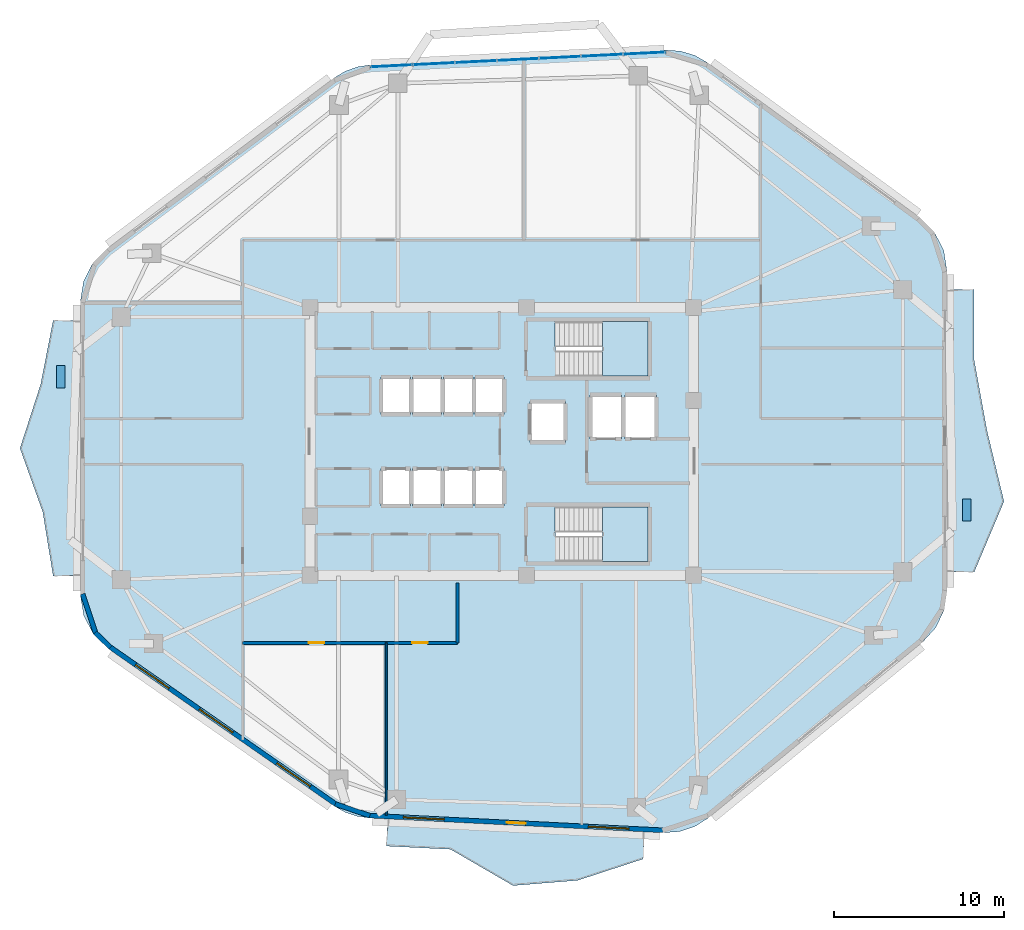
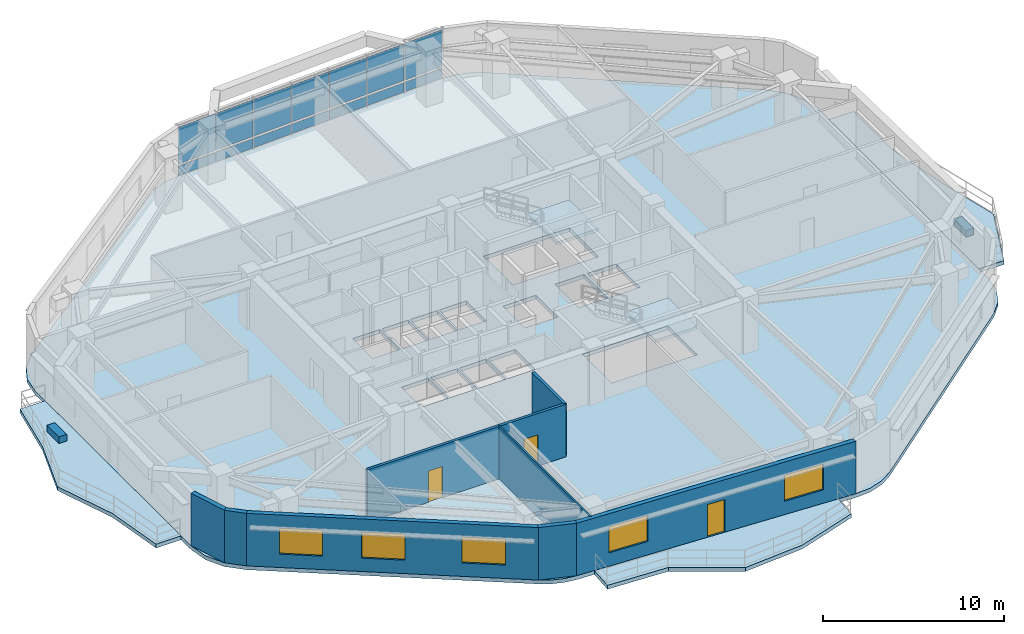
# One storey, part 7 of 14: 16 plates, 8 walls, 6 slabs, 5 windows, 3 doors, 8 openings, 3 elements without a shape of their own.
"""IFC4 building model written with IfcOpenShell, lengths in metres."""

import ifcopenshell
import ifcopenshell.guid

model = None  # the IFC model being written
_history = None  # IfcOwnerHistory: only IFC2X3 demands one
_inside = {}  # id of a spatial element -> (the spatial element, [elements in it])
_under = {}  # id of a project, library or spatial element -> (it, [spatial elements below it])
_declared = {}  # id of a project -> (the project, [libraries it declares])
_typed = {}  # id of a type object -> (the type object, [elements of that type])
_made_of = {}  # id of a material, layer set ... -> (it, [elements and type objects made of it])


def new_model(schema):
    """Start an empty IFC model of exactly this schema.

    Asked for "IFC4X3", IfcOpenShell would pick the latest addendum, in which some entities
    have other attributes; the version numbers below select the first issue.
    IFC2X3 requires an IfcOwnerHistory on every rooted entity: one is made here for all.
    """
    global model, _history
    if schema == "IFC4X3":
        model = ifcopenshell.file(schema_version=(4, 3, 0, 0))
    else:
        model = ifcopenshell.file(schema=schema)
    _inside.clear()
    _under.clear()
    _declared.clear()
    _typed.clear()
    _made_of.clear()
    _history = None
    if model.schema == "IFC2X3":
        org = make("IfcOrganization", Name="unknown")
        user = make(
            "IfcPersonAndOrganization",
            ThePerson=make("IfcPerson", FamilyName="unknown"),
            TheOrganization=org,
        )
        app = make(
            "IfcApplication",
            ApplicationDeveloper=org,
            Version="unknown",
            ApplicationFullName="unknown",
            ApplicationIdentifier="unknown",
        )
        _history = make(
            "IfcOwnerHistory",
            OwningUser=user,
            OwningApplication=app,
            ChangeAction="ADDED",
            CreationDate=0,
        )
    return model


def make(cls, **values):
    """One entity of the class cls with the attributes given. An attribute that is None is left unset."""
    return model.create_entity(
        cls, **{name: value for name, value in values.items() if value is not None}
    )


def rooted(cls, **values):
    """An entity with a GlobalId (a new one), such as an element, a storey or a relation."""
    return make(cls, GlobalId=ifcopenshell.guid.new(), OwnerHistory=_history, **values)


def si_unit(unit_type, name, prefix=None):
    """IfcSIUnit, for example si_unit("LENGTHUNIT", "METRE", prefix="MILLI")."""
    return make("IfcSIUnit", UnitType=unit_type, Prefix=prefix, Name=name)


def assignment(units):
    """IfcUnitAssignment: the units of a project."""
    return None if units is None else make("IfcUnitAssignment", Units=units)


def point(xyz):
    """IfcCartesianPoint."""
    return None if xyz is None else make("IfcCartesianPoint", Coordinates=xyz)


def direction(xyz):
    """IfcDirection."""
    return None if xyz is None else make("IfcDirection", DirectionRatios=xyz)


def frame(location, z_axis=None, x_axis=None):
    """IfcAxis2Placement3D, a coordinate frame: its origin and axes. An axis left out is left unset."""
    return make(
        "IfcAxis2Placement3D",
        Location=point(location),
        Axis=direction(z_axis),
        RefDirection=direction(x_axis),
    )


def frame_2d(location, x_axis=None):
    """IfcAxis2Placement2D, a coordinate frame in the plane: its origin and x axis."""
    return make(
        "IfcAxis2Placement2D", Location=point(location), RefDirection=direction(x_axis)
    )


def origin():
    """The frame at (0, 0, 0) with its axes left unset."""
    return frame((0.0, 0.0, 0.0))


def origin_2d():
    """The frame at (0, 0) in the plane with its x axis left unset."""
    return frame_2d((0.0, 0.0))


def place(relative_to, where):
    """IfcLocalPlacement: puts the frame where relative to a parent placement (None: the world)."""
    return make(
        "IfcLocalPlacement", PlacementRelTo=relative_to, RelativePlacement=where
    )


def context(
    kind, dimensions, precision=None, world=None, true_north=None, identifier=None
):
    """IfcGeometricRepresentationContext, for example the 3D "Model" context."""
    return make(
        "IfcGeometricRepresentationContext",
        ContextIdentifier=identifier,
        ContextType=kind,
        CoordinateSpaceDimension=dimensions,
        Precision=precision,
        WorldCoordinateSystem=world,
        TrueNorth=true_north,
    )


def subcontext(parent, identifier, kind, view, scale=None):
    """IfcGeometricRepresentationSubContext, for example "Body" below "Model"."""
    return make(
        "IfcGeometricRepresentationSubContext",
        ContextIdentifier=identifier,
        ContextType=kind,
        ParentContext=parent,
        TargetScale=scale,
        TargetView=view,
    )


def project(units=None, contexts=None):
    """IfcProject with its units and contexts."""
    return rooted(
        "IfcProject",
        Name="project",
        RepresentationContexts=contexts,
        UnitsInContext=assignment(units),
    )


def spatial(cls, under=None, at=None, **own):
    """A site, building, storey or space (cls), placed at a placement, below another one or the project."""
    s = rooted(cls, ObjectPlacement=at, **own)
    if under is not None:
        _under.setdefault(under.id(), (under, []))[1].append(s)
    return s


def polyline(points):
    """IfcPolyline through the points."""
    return make("IfcPolyline", Points=[point(p) for p in points])


def profile(cls, at=None, kind="AREA", **sizes):
    """A parametric profile (cls). Its sizes go by their IFC names, for example OverallWidth=200.0."""
    return make(cls, ProfileType=kind, Position=at, **sizes)


def rectangle(**sizes):
    """IfcRectangleProfileDef."""
    return profile("IfcRectangleProfileDef", **sizes)


def outline(outer, holes=None, kind="AREA"):
    """IfcArbitraryClosedProfileDef: a profile drawn as a closed curve; with holes, ...WithVoids."""
    if holes is None:
        return make("IfcArbitraryClosedProfileDef", ProfileType=kind, OuterCurve=outer)
    return make(
        "IfcArbitraryProfileDefWithVoids",
        ProfileType=kind,
        OuterCurve=outer,
        InnerCurves=holes,
    )


def extrude(swept, where, along, depth):
    """IfcExtrudedAreaSolid: the profile swept, set in the frame where, extruded along a direction by depth."""
    return make(
        "IfcExtrudedAreaSolid",
        SweptArea=swept,
        Position=where,
        ExtrudedDirection=direction(along),
        Depth=depth,
    )


def shape(context_of_items, identifier, shape_type, items):
    """IfcShapeRepresentation: the items that make up one representation, for example the "Body"."""
    return make(
        "IfcShapeRepresentation",
        ContextOfItems=context_of_items,
        RepresentationIdentifier=identifier,
        RepresentationType=shape_type,
        Items=items,
    )


def material(Name=None, Category=None):
    """IfcMaterial."""
    return make("IfcMaterial", Name=Name, Category=Category)


def layer(
    of_material, thickness, ventilated=None, Name=None, Category=None, Priority=None
):
    """IfcMaterialLayer: one layer of a wall or slab, of a material (None: an air gap)."""
    return make(
        "IfcMaterialLayer",
        Material=of_material,
        LayerThickness=thickness,
        IsVentilated=ventilated,
        Name=Name,
        Category=Category,
        Priority=Priority,
    )


def layer_set(layers, Name=None):
    """IfcMaterialLayerSet."""
    return make("IfcMaterialLayerSet", MaterialLayers=layers, LayerSetName=Name)


def made_of(thing, what):
    """Note that an element or type object is made of a material, layer set ...; save() writes the relation."""
    if what is not None:
        _made_of.setdefault(what.id(), (what, []))[1].append(thing)
    return thing


def type_object(cls, material=None, **own):
    """A type object (cls), such as IfcWallType, which elements share."""
    return made_of(rooted(cls, **own), material)


def element(
    cls,
    number,
    at=None,
    inside=None,
    cuts=None,
    type_object=None,
    material=None,
    context=None,
    identifier="Body",
    shape_type=None,
    held_by="IfcProductDefinitionShape",
    body=None,
    shapes=None,
    **own,
):
    """One element of the class cls, such as IfcWall. Its Tag is "e" and its number.

    at: its placement. inside: the storey or other place that contains it. cuts: it is an
    opening in that element (IfcRelVoidsElement). A single representation is given by context,
    identifier, shape_type and body (its items); several are given by shapes. held_by: the class
    of the entity that holds the representations. save() writes the other relations.
    """
    e = rooted(cls, Tag="e%d" % number, ObjectPlacement=at, **own)
    if body is not None:
        shapes = [shape(context, identifier, shape_type, body)]
    if shapes is not None:
        e.Representation = make(held_by, Representations=shapes)
    if inside is not None:
        _inside.setdefault(inside.id(), (inside, []))[1].append(e)
    if cuts is not None:
        rooted(
            "IfcRelVoidsElement", RelatingBuildingElement=cuts, RelatedOpeningElement=e
        )
    if type_object is not None:
        _typed.setdefault(type_object.id(), (type_object, []))[1].append(e)
    return made_of(e, material)


def fill(opening, filler):
    """IfcRelFillsElement: the door or window that sits in an opening."""
    return rooted(
        "IfcRelFillsElement",
        RelatingOpeningElement=opening,
        RelatedBuildingElement=filler,
    )


def aggregate(whole, parts):
    """IfcRelAggregates: a whole, such as a stair, and the parts it consists of."""
    return rooted("IfcRelAggregates", RelatingObject=whole, RelatedObjects=parts)


def save(model, path):
    """Write the relations noted so far, then the file.

    IfcRelAggregates (storeys below a building ...), IfcRelContainedInSpatialStructure (elements
    in a storey), IfcRelDefinesByType, IfcRelAssociatesMaterial and IfcRelDeclares: one each for
    every whole, place, type object, material and project.
    """
    for whole, parts in _under.values():
        aggregate(whole, parts)
    for where, things in _inside.values():
        rooted(
            "IfcRelContainedInSpatialStructure",
            RelatedElements=things,
            RelatingStructure=where,
        )
    for kind, things in _typed.values():
        rooted("IfcRelDefinesByType", RelatedObjects=things, RelatingType=kind)
    for what, things in _made_of.values():
        rooted("IfcRelAssociatesMaterial", RelatedObjects=things, RelatingMaterial=what)
    for by, libraries in _declared.values():
        rooted("IfcRelDeclares", RelatingContext=by, RelatedDefinitions=libraries)
    model.write(path)


model = new_model("IFC4")

# Units and contexts
model_context = context("Model", 3, precision=1e-05, world=origin(), true_north=direction((0.0, 1.0)))
body_context = subcontext(model_context, "Body", "Model", "MODEL_VIEW")
ifc_project = project(units=[si_unit("LENGTHUNIT", "METRE"), si_unit("AREAUNIT", "SQUARE_METRE"), si_unit("VOLUMEUNIT", "CUBIC_METRE"), si_unit("PLANEANGLEUNIT", "RADIAN"), si_unit("MASSUNIT", "GRAM", prefix="KILO")], contexts=[model_context])

# Site, building, storey
site_placement = place(None, origin())
site = spatial("IfcSite", under=ifc_project, at=site_placement, CompositionType="ELEMENT")
building_placement = place(site_placement, origin())
building = spatial("IfcBuilding", under=site, at=building_placement, Name="Zulverin Broadcast Headquarters", CompositionType="ELEMENT")
storey_placement = place(building_placement, frame((0.0, 0.0, 147.800048828125)))
storey = spatial("IfcBuildingStorey", under=building, at=storey_placement, Name="L37", CompositionType="ELEMENT", Elevation=147.800048828125)

# Curtain wall, plates
ifc_material_1 = material(Name="Waist wind-pressure unitised curtain wall", Category="aluminium")
curtain_wall_type = type_object("IfcCurtainWallType", Name="CW-TWR-WST", PredefinedType="USERDEFINED", material=ifc_material_1)
curtain_wall_placement = place(storey_placement, origin())
curtain_wall = element("IfcCurtainWall", 1, at=curtain_wall_placement, inside=storey, type_object=curtain_wall_type, Name="L37 Unitised Curtain Wall CW-L37-E5", ObjectType="UNITISED CURTAIN WALL", PredefinedType="USERDEFINED")
ifc_material_2 = material(Name="Low-E double-glazed pale-silver vision glass", Category="glass")
ifc_layer_1 = layer(ifc_material_2, 0.035888671875, Name="Low-E double-glazed pale-silver vision glass", Category="glass")
ifc_layer_set_1 = layer_set([ifc_layer_1], Name="Low-E double-glazed pale-silver vision glass")
plate_type_1 = type_object("IfcPlateType", Name="CW-PNL-GLZ", PredefinedType="CURTAIN_PANEL", material=ifc_layer_set_1)
plate_1_placement = place(storey_placement, frame((45.39111328125, 48.048583984375, 0.91455078125), z_axis=(0.0, 0.0, 1.0), x_axis=(-0.998743962301, -0.050104867704, 0.0)))
plate_1 = element("IfcPlate", 2, at=plate_1_placement, type_object=plate_type_1, Name="CW-L37-E5 Vision Panel 00", PredefinedType="CURTAIN_PANEL", context=body_context, shape_type="SweptSolid", body=[
    extrude(rectangle(XDim=2.443115234375, YDim=0.035888671875, at=origin_2d()), origin(), (0.0, 0.0, 1.0), 2.4853515625),
])
plate_2_placement = place(storey_placement, frame((42.9111328125, 47.92431640625, 0.91455078125), z_axis=(0.0, 0.0, 1.0), x_axis=(-0.998743962301, -0.050104867704, 0.0)))
plate_2 = element("IfcPlate", 3, at=plate_2_placement, type_object=plate_type_1, Name="CW-L37-E5 Vision Panel 01", PredefinedType="CURTAIN_PANEL", context=body_context, shape_type="SweptSolid", body=[
    extrude(rectangle(XDim=2.443115234375, YDim=0.035888671875, at=origin_2d()), origin(), (0.0, 0.0, 1.0), 2.4853515625),
])
plate_3_placement = place(storey_placement, frame((40.43115234375, 47.7998046875, 0.91455078125), z_axis=(0.0, 0.0, 1.0), x_axis=(-0.998743962301, -0.050104867704, 0.0)))
plate_3 = element("IfcPlate", 4, at=plate_3_placement, type_object=plate_type_1, Name="CW-L37-E5 Vision Panel 02", PredefinedType="CURTAIN_PANEL", context=body_context, shape_type="SweptSolid", body=[
    extrude(rectangle(XDim=2.443115234375, YDim=0.035888671875, at=origin_2d()), origin(), (0.0, 0.0, 1.0), 2.4853515625),
])
plate_4_placement = place(storey_placement, frame((37.951171875, 47.675537109375, 0.91455078125), z_axis=(0.0, 0.0, 1.0), x_axis=(-0.998743962301, -0.050104867704, 0.0)))
plate_4 = element("IfcPlate", 5, at=plate_4_placement, type_object=plate_type_1, Name="CW-L37-E5 Vision Panel 03", PredefinedType="CURTAIN_PANEL", context=body_context, shape_type="SweptSolid", body=[
    extrude(rectangle(XDim=2.443115234375, YDim=0.035888671875, at=origin_2d()), origin(), (0.0, 0.0, 1.0), 2.4853515625),
])
plate_5_placement = place(storey_placement, frame((35.47119140625, 47.551025390625, 0.91455078125), z_axis=(0.0, 0.0, 1.0), x_axis=(-0.998743962301, -0.050104867704, 0.0)))
plate_5 = element("IfcPlate", 6, at=plate_5_placement, type_object=plate_type_1, Name="CW-L37-E5 Vision Panel 04", PredefinedType="CURTAIN_PANEL", context=body_context, shape_type="SweptSolid", body=[
    extrude(rectangle(XDim=2.443115234375, YDim=0.035888671875, at=origin_2d()), origin(), (0.0, 0.0, 1.0), 2.4853515625),
])
plate_6_placement = place(storey_placement, frame((32.9912109375, 47.4267578125, 0.91455078125), z_axis=(0.0, 0.0, 1.0), x_axis=(-0.998743962301, -0.050104867704, 0.0)))
plate_6 = element("IfcPlate", 7, at=plate_6_placement, type_object=plate_type_1, Name="CW-L37-E5 Vision Panel 05", PredefinedType="CURTAIN_PANEL", context=body_context, shape_type="SweptSolid", body=[
    extrude(rectangle(XDim=2.443115234375, YDim=0.035888671875, at=origin_2d()), origin(), (0.0, 0.0, 1.0), 2.4853515625),
])
plate_7_placement = place(storey_placement, frame((30.51123046875, 47.30224609375, 0.91455078125), z_axis=(0.0, 0.0, 1.0), x_axis=(-0.998743962301, -0.050104867704, 0.0)))
plate_7 = element("IfcPlate", 8, at=plate_7_placement, type_object=plate_type_1, Name="CW-L37-E5 Vision Panel 06", PredefinedType="CURTAIN_PANEL", context=body_context, shape_type="SweptSolid", body=[
    extrude(rectangle(XDim=2.443115234375, YDim=0.035888671875, at=origin_2d()), origin(), (0.0, 0.0, 1.0), 2.4853515625),
])
ifc_material_3 = material(Name="Insulated brushed pale-aluminium spandrel cassette", Category="aluminium")
ifc_layer_2 = layer(ifc_material_3, 0.050048828125, Name="Insulated brushed pale-aluminium spandrel cassette", Category="aluminium")
ifc_layer_set_2 = layer_set([ifc_layer_2], Name="Insulated brushed pale-aluminium spandrel cassette")
plate_type_2 = type_object("IfcPlateType", Name="CW-PNL-SPN", PredefinedType="CURTAIN_PANEL", material=ifc_layer_set_2)
plate_8_placement = place(storey_placement, frame((45.39111328125, 48.048583984375, 0.139892578125), z_axis=(0.0, 0.0, 1.0), x_axis=(-0.998743962301, -0.050104867704, 0.0)))
plate_8 = element("IfcPlate", 9, at=plate_8_placement, type_object=plate_type_2, Name="CW-L37-E5 Spandrel Cassette 00", PredefinedType="CURTAIN_PANEL", context=body_context, shape_type="SweptSolid", body=[
    extrude(rectangle(XDim=2.443115234375, YDim=0.050048828125, at=origin_2d()), origin(), (0.0, 0.0, 1.0), 0.64453125),
])
plate_9_placement = place(storey_placement, frame((42.9111328125, 47.92431640625, 0.139892578125), z_axis=(0.0, 0.0, 1.0), x_axis=(-0.998743962301, -0.050104867704, 0.0)))
plate_9 = element("IfcPlate", 10, at=plate_9_placement, type_object=plate_type_2, Name="CW-L37-E5 Spandrel Cassette 01", PredefinedType="CURTAIN_PANEL", context=body_context, shape_type="SweptSolid", body=[
    extrude(rectangle(XDim=2.443115234375, YDim=0.050048828125, at=origin_2d()), origin(), (0.0, 0.0, 1.0), 0.64453125),
])
plate_10_placement = place(storey_placement, frame((40.43115234375, 47.7998046875, 0.139892578125), z_axis=(0.0, 0.0, 1.0), x_axis=(-0.998743962301, -0.050104867704, 0.0)))
plate_10 = element("IfcPlate", 11, at=plate_10_placement, type_object=plate_type_2, Name="CW-L37-E5 Spandrel Cassette 02", PredefinedType="CURTAIN_PANEL", context=body_context, shape_type="SweptSolid", body=[
    extrude(rectangle(XDim=2.443115234375, YDim=0.050048828125, at=origin_2d()), origin(), (0.0, 0.0, 1.0), 0.64453125),
])
plate_11_placement = place(storey_placement, frame((37.951171875, 47.675537109375, 0.139892578125), z_axis=(0.0, 0.0, 1.0), x_axis=(-0.998743962301, -0.050104867704, 0.0)))
plate_11 = element("IfcPlate", 12, at=plate_11_placement, type_object=plate_type_2, Name="CW-L37-E5 Spandrel Cassette 03", PredefinedType="CURTAIN_PANEL", context=body_context, shape_type="SweptSolid", body=[
    extrude(rectangle(XDim=2.443115234375, YDim=0.050048828125, at=origin_2d()), origin(), (0.0, 0.0, 1.0), 0.64453125),
])
plate_12_placement = place(storey_placement, frame((35.47119140625, 47.551025390625, 0.139892578125), z_axis=(0.0, 0.0, 1.0), x_axis=(-0.998743962301, -0.050104867704, 0.0)))
plate_12 = element("IfcPlate", 13, at=plate_12_placement, type_object=plate_type_2, Name="CW-L37-E5 Spandrel Cassette 04", PredefinedType="CURTAIN_PANEL", context=body_context, shape_type="SweptSolid", body=[
    extrude(rectangle(XDim=2.443115234375, YDim=0.050048828125, at=origin_2d()), origin(), (0.0, 0.0, 1.0), 0.64453125),
])
plate_13_placement = place(storey_placement, frame((32.9912109375, 47.4267578125, 0.139892578125), z_axis=(0.0, 0.0, 1.0), x_axis=(-0.998743962301, -0.050104867704, 0.0)))
plate_13 = element("IfcPlate", 14, at=plate_13_placement, type_object=plate_type_2, Name="CW-L37-E5 Spandrel Cassette 05", PredefinedType="CURTAIN_PANEL", context=body_context, shape_type="SweptSolid", body=[
    extrude(rectangle(XDim=2.443115234375, YDim=0.050048828125, at=origin_2d()), origin(), (0.0, 0.0, 1.0), 0.64453125),
])
plate_14_placement = place(storey_placement, frame((30.51123046875, 47.30224609375, 0.139892578125), z_axis=(0.0, 0.0, 1.0), x_axis=(-0.998743962301, -0.050104867704, 0.0)))
plate_14 = element("IfcPlate", 15, at=plate_14_placement, type_object=plate_type_2, Name="CW-L37-E5 Spandrel Cassette 06", PredefinedType="CURTAIN_PANEL", context=body_context, shape_type="SweptSolid", body=[
    extrude(rectangle(XDim=2.443115234375, YDim=0.050048828125, at=origin_2d()), origin(), (0.0, 0.0, 1.0), 0.64453125),
])
aggregate(curtain_wall, [plate_8, plate_1, plate_9, plate_2, plate_10, plate_3, plate_11, plate_4, plate_12, plate_5, plate_13, plate_6, plate_14, plate_7])

# Plates
ifc_material_4 = material(Name="Precast concrete C45/55", Category="concrete")
ifc_layer_3 = layer(ifc_material_4, 0.449951171875, Name="Precast concrete C45/55", Category="concrete")
ifc_layer_set_3 = layer_set([ifc_layer_3], Name="Precast concrete C45/55")
plate_type_3 = type_object("IfcPlateType", Name="PT-01_PRECAST_GFRC_TREE_PLANTER", PredefinedType="USERDEFINED", material=ifc_layer_set_3)
for number, where, z_axis, x_axis, name in (
    (16, (64.35009765625, 21.1728515625, -0.0048828125), (0.0, 0.0, 1.0), (0.0, 1.0, 0.0), "L37 Precast GFRC Tree Planter BAL_E"),
    (17, (11.050048828125, 29.011962890625, -0.0048828125), (0.0, 0.0, 1.0), (0.0, 1.0, 0.0), "L37 Precast GFRC Tree Planter BAL_W"),
):
    element("IfcPlate", number, at=place(storey_placement, frame(where, z_axis=z_axis, x_axis=x_axis)), inside=storey, type_object=plate_type_3, Name=name, ObjectType="PLANTER", PredefinedType="USERDEFINED", context=body_context, shape_type="SweptSolid", body=[
        extrude(rectangle(XDim=1.300048828125, YDim=0.5, at=origin_2d()), origin(), (0.0, 0.0, 1.0), 0.449951171875),
    ])

# Slabs
ifc_material_5 = material(Name="Concrete C40/50", Category="concrete")
ifc_layer_4 = layer(ifc_material_5, 0.260009765625, Name="Concrete C40/50", Category="concrete")
ifc_layer_set_4 = layer_set([ifc_layer_4], Name="Concrete C40/50")
slab_type_1 = type_object("IfcSlabType", Name="SLB-BAL-260", PredefinedType="FLOOR", material=ifc_layer_set_4)
slab_1_placement = place(storey_placement, frame((0.0, 0.0, -0.260009765625)))
element("IfcSlab", 18, at=slab_1_placement, inside=storey, type_object=slab_type_1, Name="L37 Cantilevered Planted Balcony Slab BAL_E", PredefinedType="FLOOR", context=body_context, shape_type="SweptSolid", body=[
    extrude(outline(polyline([(63.199951171875, 34.1298828125), (63.199951171875, 17.518310546875), (64.800048828125, 17.518310546875), (66.553955078125, 21.671142578125), (65.55615234375, 25.82421875), (64.800048828125, 29.97705078125), (64.800048828125, 34.1298828125), (63.199951171875, 34.1298828125)])), origin(), (0.0, 0.0, 1.0), 0.260009765625),
])
slab_2_placement = place(storey_placement, frame((0.0, 0.0, -0.260009765625)))
element("IfcSlab", 19, at=slab_2_placement, inside=storey, type_object=slab_type_1, Name="L37 Cantilevered Planted Balcony Slab BAL_S", PredefinedType="FLOOR", context=body_context, shape_type="SweptSolid", body=[
    extrude(outline(polyline([(45.400390625, 2.230712890625), (30.28662109375, 2.989013671875), (30.206298828125, 1.390869140625), (33.98486328125, 1.201416015625), (37.66552734375, -0.935791015625), (41.468994140625, -0.6259765625), (45.320068359375, 0.632568359375), (45.400390625, 2.230712890625)])), origin(), (0.0, 0.0, 1.0), 0.260009765625),
])
slab_3_placement = place(storey_placement, frame((0.0, 0.0, -0.260009765625)))
element("IfcSlab", 20, at=slab_3_placement, inside=storey, type_object=slab_type_1, Name="L37 Cantilevered Planted Balcony Slab BAL_W", PredefinedType="FLOOR", context=body_context, shape_type="SweptSolid", body=[
    extrude(outline(polyline([(12.199951171875, 17.286865234375), (12.199951171875, 32.31884765625), (10.60009765625, 32.31884765625), (9.864990234375, 28.560791015625), (8.64990234375, 24.802978515625), (9.989501953125, 21.044921875), (10.60009765625, 17.286865234375), (12.199951171875, 17.286865234375)])), origin(), (0.0, 0.0, 1.0), 0.260009765625),
])

# Stair, slab
stair_type = type_object("IfcStairType", Name="ST-CORE-1500", PredefinedType="HALF_TURN_STAIR", material=ifc_material_5)
stair_1_placement = place(storey_placement, origin())
stair_1 = element("IfcStair", 21, at=stair_1_placement, inside=storey, type_object=stair_type, Name="L37 Core Exit Stair ST-1", PredefinedType="HALF_TURN_STAIR")
ifc_layer_5 = layer(ifc_material_5, 0.199951171875, Name="Concrete C40/50", Category="concrete")
ifc_layer_set_5 = layer_set([ifc_layer_5], Name="Concrete C40/50")
slab_type_2 = type_object("IfcSlabType", Name="SLB-ST-LND200", PredefinedType="LANDING", material=ifc_layer_set_5)
slab_4_placement = place(storey_placement, frame((0.0, 0.0, 1.699951171875)))
slab_4 = element("IfcSlab", 22, at=slab_4_placement, type_object=slab_type_2, Name="ST-1 landing 1", PredefinedType="LANDING", context=body_context, shape_type="SweptSolid", body=[
    extrude(outline(polyline([(42.929931640625, 29.050048828125), (45.60009765625, 29.050048828125), (45.60009765625, 32.25), (42.929931640625, 32.25), (42.929931640625, 29.050048828125)])), origin(), (0.0, 0.0, 1.0), 0.199951171875),
])
aggregate(stair_1, [slab_4])

stair_2_placement = place(storey_placement, origin())
stair_2 = element("IfcStair", 23, at=stair_2_placement, inside=storey, type_object=stair_type, Name="L37 Core Exit Stair ST-2", PredefinedType="HALF_TURN_STAIR")
slab_5_placement = place(storey_placement, frame((0.0, 0.0, 1.699951171875)))
slab_5 = element("IfcSlab", 24, at=slab_5_placement, type_object=slab_type_2, Name="ST-2 landing 1", PredefinedType="LANDING", context=body_context, shape_type="SweptSolid", body=[
    extrude(outline(polyline([(42.929931640625, 18.14990234375), (45.60009765625, 18.14990234375), (45.60009765625, 21.35009765625), (42.929931640625, 21.35009765625), (42.929931640625, 18.14990234375)])), origin(), (0.0, 0.0, 1.0), 0.199951171875),
])
aggregate(stair_2, [slab_5])

# Slab
ifc_layer_6 = layer(ifc_material_5, 0.260009765625, Name="Concrete C40/50", Category="concrete")
ifc_layer_set_6 = layer_set([ifc_layer_6], Name="Concrete C40/50")
slab_type_3 = type_object("IfcSlabType", Name="SLB-TWR-260", PredefinedType="FLOOR", material=ifc_layer_set_6)
slab_6_placement = place(storey_placement, frame((0.0, 0.0, -0.260009765625)))
element("IfcSlab", 25, at=slab_6_placement, inside=storey, type_object=slab_type_3, Name="L37 Main Structural Floor Slab", PredefinedType="FLOOR", context=body_context, shape_type="SweptSolid", body=[
    extrude(outline(polyline([(27.155029296875, 3.73828125), (27.785400390625, 3.381591796875), (28.470947265625, 3.147216796875), (29.18798828125, 3.0439453125), (46.498779296875, 2.175537109375), (47.45263671875, 2.2451171875), (48.36083984375, 2.544677734375), (49.168701171875, 3.05615234375), (61.7744140625, 13.40380859375), (62.54296875, 14.251708984375), (63.031982421875, 15.286376953125), (63.199951171875, 16.418212890625), (63.199951171875, 35.22998046875), (63.010009765625, 36.4326171875), (62.458251953125, 37.517822265625), (61.598876953125, 38.38037109375), (49.119384765625, 47.486083984375), (48.351806640625, 47.922607421875), (47.506103515625, 48.175048828125), (46.625, 48.230712890625), (29.265380859375, 47.35986328125), (28.502197265625, 47.2451171875), (27.776611328125, 46.982421875), (27.116943359375, 46.581787109375), (13.756103515625, 36.5361328125), (12.919921875, 35.6767578125), (12.384521484375, 34.603759765625), (12.199951171875, 33.4189453125), (12.199951171875, 16.18701171875), (12.399169921875, 14.956787109375), (12.975830078125, 13.852294921875), (13.87158203125, 12.986083984375), (27.155029296875, 3.73828125)]), holes=[polyline([(40.155029296875, 30.75), (40.130126953125, 30.75), (40.130126953125, 32.25), (45.60009765625, 32.25), (45.60009765625, 29.050048828125), (40.155029296875, 29.050048828125), (40.155029296875, 30.75)]), polyline([(40.155029296875, 19.85009765625), (40.130126953125, 19.85009765625), (40.130126953125, 21.35009765625), (45.60009765625, 21.35009765625), (45.60009765625, 18.14990234375), (40.155029296875, 18.14990234375), (40.155029296875, 19.85009765625)]), polyline([(29.89990234375, 21.39990234375), (31.6201171875, 21.39990234375), (31.6201171875, 23.60009765625), (29.89990234375, 23.60009765625), (29.89990234375, 21.39990234375)]), polyline([(31.739990234375, 21.39990234375), (33.4599609375, 21.39990234375), (33.4599609375, 23.60009765625), (31.739990234375, 23.60009765625), (31.739990234375, 21.39990234375)]), polyline([(33.580078125, 21.39990234375), (35.300048828125, 21.39990234375), (35.300048828125, 23.60009765625), (33.580078125, 23.60009765625), (33.580078125, 21.39990234375)]), polyline([(35.419921875, 21.39990234375), (37.139892578125, 21.39990234375), (37.139892578125, 23.60009765625), (35.419921875, 23.60009765625), (35.419921875, 21.39990234375)]), polyline([(29.89990234375, 26.800048828125), (31.6201171875, 26.800048828125), (31.6201171875, 29.0), (29.89990234375, 29.0), (29.89990234375, 26.800048828125)]), polyline([(31.739990234375, 26.800048828125), (33.4599609375, 26.800048828125), (33.4599609375, 29.0), (31.739990234375, 29.0), (31.739990234375, 26.800048828125)]), polyline([(33.580078125, 26.800048828125), (35.300048828125, 26.800048828125), (35.300048828125, 29.0), (33.580078125, 29.0), (33.580078125, 26.800048828125)]), polyline([(35.419921875, 26.800048828125), (37.139892578125, 26.800048828125), (37.139892578125, 29.0), (35.419921875, 29.0), (35.419921875, 26.800048828125)]), polyline([(42.199951171875, 25.35009765625), (44.050048828125, 25.35009765625), (44.050048828125, 27.949951171875), (42.199951171875, 27.949951171875), (42.199951171875, 25.35009765625)]), polyline([(44.25, 25.35009765625), (46.10009765625, 25.35009765625), (46.10009765625, 27.949951171875), (44.25, 27.949951171875), (44.25, 25.35009765625)]), polyline([(38.64990234375, 25.14990234375), (40.75, 25.14990234375), (40.75, 27.550048828125), (38.64990234375, 27.550048828125), (38.64990234375, 25.14990234375)])]), origin(), (0.0, 0.0, 1.0), 0.260009765625),
])

# Wall, openings, door, windows
ifc_material_6 = material(Name="Insulated pale-metal clad concrete spandrel C40/50", Category="concrete")
ifc_layer_7 = layer(ifc_material_6, 0.280029296875, Name="Insulated pale-metal clad concrete spandrel C40/50", Category="concrete")
ifc_layer_set_7 = layer_set([ifc_layer_7], Name="Insulated pale-metal clad concrete spandrel C40/50")
wall_type_1 = type_object("IfcWallType", Name="WL-EXT-280", PredefinedType="STANDARD", material=ifc_layer_set_7)
wall_1_placement = place(storey_placement, frame((29.19482421875, 3.183837890625, 0.0), z_axis=(0.0, 0.0, 1.0), x_axis=(0.998743400978, -0.05011605535, 0.0)))
wall_1 = element("IfcWall", 26, at=wall_1_placement, inside=storey, type_object=wall_type_1, Name="L37 Pale-Metal Clad Spandrel Wall 1", PredefinedType="STANDARD", context=body_context, shape_type="SweptSolid", body=[
    extrude(rectangle(XDim=17.332763671875, YDim=0.280029296875, at=frame_2d((8.66650390625, 0.0))), origin(), (0.0, 0.0, 1.0), 3.5400390625),
])
opening_1_placement = place(wall_1_placement, frame((8.116455078125, 0.0, 0.0)))
opening_1 = element("IfcOpeningElement", 27, at=opening_1_placement, cuts=wall_1, Name="Opening D-L37-TR1", PredefinedType="OPENING", context=body_context, shape_type="SweptSolid", body=[
    extrude(rectangle(XDim=1.10009765625, YDim=2.199951171875, at=frame_2d((0.550048828125, 1.10009765625))), frame((0.0, 0.14990234375, 0.0), z_axis=(0.0, -1.0, 0.0), x_axis=(1.0, 0.0, 0.0)), (0.0, 0.0, 1.0), 0.300048828125),
])
opening_2_placement = place(wall_1_placement, frame((2.022216796875, 0.0, 0.89990234375)))
opening_2 = element("IfcOpeningElement", 28, at=opening_2_placement, cuts=wall_1, Name="Opening W-L37-E11", PredefinedType="OPENING", context=body_context, shape_type="SweptSolid", body=[
    extrude(rectangle(XDim=2.39990234375, YDim=1.75, at=frame_2d((1.199951171875, 0.875))), frame((0.0, 0.14990234375, 0.0), z_axis=(0.0, -1.0, 0.0), x_axis=(1.0, 0.0, 0.0)), (0.0, 0.0, 1.0), 0.300048828125),
])
opening_3_placement = place(wall_1_placement, frame((12.91064453125, 0.0, 0.89990234375)))
opening_3 = element("IfcOpeningElement", 29, at=opening_3_placement, cuts=wall_1, Name="Opening W-L37-E12", PredefinedType="OPENING", context=body_context, shape_type="SweptSolid", body=[
    extrude(rectangle(XDim=2.39990234375, YDim=1.75, at=frame_2d((1.199951171875, 0.875))), frame((0.0, 0.14990234375, 0.0), z_axis=(0.0, -1.0, 0.0), x_axis=(1.0, 0.0, 0.0)), (0.0, 0.0, 1.0), 0.300048828125),
])
ifc_material_7 = material(Name="Thermally broken aluminium glazed", Category="aluminium")
door_type_1 = type_object("IfcDoorType", Name="DR-TERR-1100", OperationType="SINGLE_SWING_RIGHT", PredefinedType="DOOR", material=ifc_material_7)
door_1_placement = place(opening_1_placement, origin())
door_1 = element("IfcDoor", 30, at=door_1_placement, inside=storey, type_object=door_type_1, Name="L37 Planted Terrace Glazed Access Door 1", OperationType="SINGLE_SWING_RIGHT", OverallHeight=2.199951171875, OverallWidth=1.10009765625, PredefinedType="DOOR", context=body_context, shape_type="SweptSolid", body=[
    extrude(rectangle(XDim=1.10009765625, YDim=2.199951171875, at=frame_2d((0.550048828125, 1.10009765625))), frame((0.0, 0.02490234375, 0.0), z_axis=(0.0, -1.0, 0.0), x_axis=(1.0, 0.0, 0.0)), (0.0, 0.0, 1.0), 0.050048828125),
])
fill(opening_1, door_1)
ifc_material_8 = material(Name="Pale anodized aluminium frame with solar-control low-E double glazing", Category="aluminium")
window_type = type_object("IfcWindowType", Name="WIN-RIB-2400", PartitioningType="SINGLE_PANEL", PredefinedType="WINDOW", material=ifc_material_8)
window_1_placement = place(opening_2_placement, origin())
window_1 = element("IfcWindow", 31, at=window_1_placement, inside=storey, type_object=window_type, Name="L37 Ribbon Glazing Window 1 1", OverallHeight=1.75, OverallWidth=2.39990234375, PartitioningType="SINGLE_PANEL", PredefinedType="WINDOW", context=body_context, shape_type="SweptSolid", body=[
    extrude(rectangle(XDim=2.39990234375, YDim=1.75, at=frame_2d((1.199951171875, 0.875))), frame((0.0, 0.030029296875, 0.0), z_axis=(0.0, -1.0, 0.0), x_axis=(1.0, 0.0, 0.0)), (0.0, 0.0, 1.0), 0.06005859375),
])
fill(opening_2, window_1)
window_2_placement = place(opening_3_placement, origin())
window_2 = element("IfcWindow", 32, at=window_2_placement, inside=storey, type_object=window_type, Name="L37 Ribbon Glazing Window 1 2", OverallHeight=1.75, OverallWidth=2.39990234375, PartitioningType="SINGLE_PANEL", PredefinedType="WINDOW", context=body_context, shape_type="SweptSolid", body=[
    extrude(rectangle(XDim=2.39990234375, YDim=1.75, at=frame_2d((1.199951171875, 0.875))), frame((0.0, 0.030029296875, 0.0), z_axis=(0.0, -1.0, 0.0), x_axis=(1.0, 0.0, 0.0)), (0.0, 0.0, 1.0), 0.06005859375),
])
fill(opening_3, window_2)

# Wall, openings, windows
wall_2_placement = place(storey_placement, frame((13.95166015625, 13.10107421875, 0.0), z_axis=(0.0, 0.0, 1.0), x_axis=(0.820698239491, -0.571361881558, 0.0)))
wall_2 = element("IfcWall", 33, at=wall_2_placement, inside=storey, type_object=wall_type_1, Name="L37 Pale-Metal Clad Spandrel Wall 8", PredefinedType="STANDARD", context=body_context, shape_type="SweptSolid", body=[
    extrude(rectangle(XDim=16.185546875, YDim=0.280029296875, at=frame_2d((8.0927734375, 0.0))), origin(), (0.0, 0.0, 1.0), 3.5400390625),
])
opening_4_placement = place(wall_2_placement, frame((1.830810546875, 0.0, 0.89990234375)))
opening_4 = element("IfcOpeningElement", 34, at=opening_4_placement, cuts=wall_2, Name="Opening W-L37-E81", PredefinedType="OPENING", context=body_context, shape_type="SweptSolid", body=[
    extrude(rectangle(XDim=2.39990234375, YDim=1.75, at=frame_2d((1.199951171875, 0.875))), frame((0.0, 0.14990234375, 0.0), z_axis=(0.0, -1.0, 0.0), x_axis=(1.0, 0.0, 0.0)), (0.0, 0.0, 1.0), 0.300048828125),
])
opening_5_placement = place(wall_2_placement, frame((6.392578125, 0.0, 0.89990234375)))
opening_5 = element("IfcOpeningElement", 35, at=opening_5_placement, cuts=wall_2, Name="Opening W-L37-E82", PredefinedType="OPENING", context=body_context, shape_type="SweptSolid", body=[
    extrude(rectangle(XDim=2.39990234375, YDim=1.75, at=frame_2d((1.199951171875, 0.875))), frame((0.0, 0.14990234375, 0.0), z_axis=(0.0, -1.0, 0.0), x_axis=(1.0, 0.0, 0.0)), (0.0, 0.0, 1.0), 0.300048828125),
])
opening_6_placement = place(wall_2_placement, frame((11.95458984375, 0.0, 0.89990234375)))
opening_6 = element("IfcOpeningElement", 36, at=opening_6_placement, cuts=wall_2, Name="Opening W-L37-E83", PredefinedType="OPENING", context=body_context, shape_type="SweptSolid", body=[
    extrude(rectangle(XDim=2.39990234375, YDim=1.75, at=frame_2d((1.199951171875, 0.875))), frame((0.0, 0.14990234375, 0.0), z_axis=(0.0, -1.0, 0.0), x_axis=(1.0, 0.0, 0.0)), (0.0, 0.0, 1.0), 0.300048828125),
])
window_3_placement = place(opening_4_placement, origin())
window_3 = element("IfcWindow", 37, at=window_3_placement, inside=storey, type_object=window_type, Name="L37 Ribbon Glazing Window 8 1", OverallHeight=1.75, OverallWidth=2.39990234375, PartitioningType="SINGLE_PANEL", PredefinedType="WINDOW", context=body_context, shape_type="SweptSolid", body=[
    extrude(rectangle(XDim=2.39990234375, YDim=1.75, at=frame_2d((1.199951171875, 0.875))), frame((0.0, 0.030029296875, 0.0), z_axis=(0.0, -1.0, 0.0), x_axis=(1.0, 0.0, 0.0)), (0.0, 0.0, 1.0), 0.06005859375),
])
fill(opening_4, window_3)
window_4_placement = place(opening_5_placement, origin())
window_4 = element("IfcWindow", 38, at=window_4_placement, inside=storey, type_object=window_type, Name="L37 Ribbon Glazing Window 8 2", OverallHeight=1.75, OverallWidth=2.39990234375, PartitioningType="SINGLE_PANEL", PredefinedType="WINDOW", context=body_context, shape_type="SweptSolid", body=[
    extrude(rectangle(XDim=2.39990234375, YDim=1.75, at=frame_2d((1.199951171875, 0.875))), frame((0.0, 0.030029296875, 0.0), z_axis=(0.0, -1.0, 0.0), x_axis=(1.0, 0.0, 0.0)), (0.0, 0.0, 1.0), 0.06005859375),
])
fill(opening_5, window_4)
window_5_placement = place(opening_6_placement, origin())
window_5 = element("IfcWindow", 39, at=window_5_placement, inside=storey, type_object=window_type, Name="L37 Ribbon Glazing Window 8 3", OverallHeight=1.75, OverallWidth=2.39990234375, PartitioningType="SINGLE_PANEL", PredefinedType="WINDOW", context=body_context, shape_type="SweptSolid", body=[
    extrude(rectangle(XDim=2.39990234375, YDim=1.75, at=frame_2d((1.199951171875, 0.875))), frame((0.0, 0.030029296875, 0.0), z_axis=(0.0, -1.0, 0.0), x_axis=(1.0, 0.0, 0.0)), (0.0, 0.0, 1.0), 0.06005859375),
])
fill(opening_6, window_5)

# Walls
wall_3_placement = place(storey_placement, frame((12.3330078125, 16.231201171875, 0.0), z_axis=(0.0, 0.0, 1.0), x_axis=(0.315364302967, -0.94897068259, 0.0)))
element("IfcWall", 40, at=wall_3_placement, inside=storey, type_object=wall_type_1, Name="L37 Wind-Shaped Corner Spandrel Wall 7-1", PredefinedType="STANDARD", context=body_context, shape_type="SweptSolid", body=[
    extrude(rectangle(XDim=2.460205078125, YDim=0.280029296875, at=frame_2d((1.22998046875, 0.0))), origin(), (0.0, 0.0, 1.0), 3.5400390625),
])
wall_4_placement = place(storey_placement, frame((13.0732421875, 13.952880859375, 0.0), z_axis=(0.0, 0.0, 1.0), x_axis=(0.718958999036, -0.695052485576, 0.0)))
element("IfcWall", 41, at=wall_4_placement, inside=storey, type_object=wall_type_1, Name="L37 Wind-Shaped Corner Spandrel Wall 7-2", PredefinedType="STANDARD", context=body_context, shape_type="SweptSolid", body=[
    extrude(rectangle(XDim=1.245849609375, YDim=0.280029296875, at=frame_2d((0.623046875, 0.0))), origin(), (0.0, 0.0, 1.0), 3.5400390625),
])
wall_5_placement = place(storey_placement, frame((27.2001953125, 3.870849609375, 0.0), z_axis=(0.0, 0.0, 1.0), x_axis=(0.946327814955, -0.323208395068, 0.0)))
element("IfcWall", 42, at=wall_5_placement, inside=storey, type_object=wall_type_1, Name="L37 Wind-Shaped Corner Spandrel Wall 8-1", PredefinedType="STANDARD", context=body_context, shape_type="SweptSolid", body=[
    extrude(rectangle(XDim=2.148193359375, YDim=0.280029296875, at=frame_2d((1.07421875, 0.0))), origin(), (0.0, 0.0, 1.0), 3.5400390625),
])
ifc_material_9 = material(Name="Fire-rated acoustic laminated glass screen", Category="glass")
ifc_layer_8 = layer(ifc_material_9, 0.10009765625, Name="Fire-rated acoustic laminated glass screen", Category="glass")
ifc_layer_set_8 = layer_set([ifc_layer_8], Name="Fire-rated acoustic laminated glass screen")
wall_type_2 = type_object("IfcWallType", Name="WL-GLAZ-100", PredefinedType="PARTITIONING", material=ifc_layer_set_8)
wall_6_placement = place(storey_placement, frame((30.199951171875, 3.1982421875, 0.0), z_axis=(0.0, 0.0, 1.0), x_axis=(0.0, 1.0, 0.0)))
element("IfcWall", 43, at=wall_6_placement, inside=storey, type_object=wall_type_2, Name="L37 Room Partition Wall RP-05", PredefinedType="PARTITIONING", context=body_context, shape_type="SweptSolid", body=[
    extrude(rectangle(XDim=10.15185546875, YDim=0.10009765625, at=frame_2d((5.075927734375, 0.0))), origin(), (0.0, 0.0, 1.0), 3.5400390625),
])
ifc_material_10 = material(Name="Fire-rated acoustic stud wall", Category="gypsum")
ifc_layer_9 = layer(ifc_material_10, 0.175048828125, Name="Fire-rated acoustic stud wall", Category="gypsum")
ifc_layer_set_9 = layer_set([ifc_layer_9], Name="Fire-rated acoustic stud wall")
wall_type_3 = type_object("IfcWallType", Name="WL-PART-175", PredefinedType="PARTITIONING", material=ifc_layer_set_9)
wall_7_placement = place(storey_placement, frame((34.39990234375, 13.35009765625, 0.0), z_axis=(0.0, 0.0, 1.0), x_axis=(0.0, 1.0, 0.0)))
element("IfcWall", 44, at=wall_7_placement, inside=storey, type_object=wall_type_3, Name="L37 Gallery Partition Wall CG-04", PredefinedType="PARTITIONING", context=body_context, shape_type="SweptSolid", body=[
    extrude(rectangle(XDim=3.510009765625, YDim=0.175048828125, at=frame_2d((1.7548828125, 0.0))), origin(), (0.0, 0.0, 1.0), 3.5400390625),
])

# Wall, openings, doors
wall_8_placement = place(storey_placement, frame((21.75, 13.35009765625, 0.0), z_axis=(0.0, 0.0, 1.0), x_axis=(1.0, 0.0, 0.0)))
wall_8 = element("IfcWall", 45, at=wall_8_placement, inside=storey, type_object=wall_type_3, Name="L37 Gallery Partition Wall CG-08", PredefinedType="PARTITIONING", context=body_context, shape_type="SweptSolid", body=[
    extrude(rectangle(XDim=12.64990234375, YDim=0.175048828125, at=frame_2d((6.324951171875, 0.0))), origin(), (0.0, 0.0, 1.0), 3.5400390625),
])
opening_7_placement = place(wall_8_placement, frame((3.89501953125, 0.0, 0.0)))
opening_7 = element("IfcOpeningElement", 46, at=opening_7_placement, cuts=wall_8, Name="Opening D-L37-03", PredefinedType="OPENING", context=body_context, shape_type="SweptSolid", body=[
    extrude(rectangle(XDim=0.89990234375, YDim=2.10009765625, at=frame_2d((0.449951171875, 1.050048828125))), frame((0.0, 0.097412109375, 0.0), z_axis=(0.0, -1.0, 0.0), x_axis=(1.0, 0.0, 0.0)), (0.0, 0.0, 1.0), 0.195068359375),
])
opening_8_placement = place(wall_8_placement, frame((9.97998046875, 0.0, 0.0)))
opening_8 = element("IfcOpeningElement", 47, at=opening_8_placement, cuts=wall_8, Name="Opening D-L37-04", PredefinedType="OPENING", context=body_context, shape_type="SweptSolid", body=[
    extrude(rectangle(XDim=0.89990234375, YDim=2.10009765625, at=frame_2d((0.449951171875, 1.050048828125))), frame((0.0, 0.097412109375, 0.0), z_axis=(0.0, -1.0, 0.0), x_axis=(1.0, 0.0, 0.0)), (0.0, 0.0, 1.0), 0.195068359375),
])
ifc_material_11 = material(Name="Fire-rated hardwood veneer timber leaf", Category="wood")
door_type_2 = type_object("IfcDoorType", Name="DR-ROOM-900", OperationType="SINGLE_SWING_RIGHT", PredefinedType="DOOR", material=ifc_material_11)
door_2_placement = place(opening_7_placement, origin())
door_2 = element("IfcDoor", 48, at=door_2_placement, inside=storey, type_object=door_type_2, Name="L37 Briefing Room Door", OperationType="SINGLE_SWING_RIGHT", OverallHeight=2.10009765625, OverallWidth=0.89990234375, PredefinedType="DOOR", context=body_context, shape_type="SweptSolid", body=[
    extrude(rectangle(XDim=0.89990234375, YDim=2.10009765625, at=frame_2d((0.449951171875, 1.050048828125))), frame((0.0, 0.02490234375, 0.0), z_axis=(0.0, -1.0, 0.0), x_axis=(1.0, 0.0, 0.0)), (0.0, 0.0, 1.0), 0.050048828125),
])
fill(opening_7, door_2)
door_3_placement = place(opening_8_placement, origin())
door_3 = element("IfcDoor", 49, at=door_3_placement, inside=storey, type_object=door_type_2, Name="L37 Acoustic Mastering Suite Door", OperationType="SINGLE_SWING_LEFT", OverallHeight=2.10009765625, OverallWidth=0.89990234375, PredefinedType="DOOR", context=body_context, shape_type="SweptSolid", body=[
    extrude(rectangle(XDim=0.89990234375, YDim=2.10009765625, at=frame_2d((0.449951171875, 1.050048828125))), frame((0.0, 0.02490234375, 0.0), z_axis=(0.0, -1.0, 0.0), x_axis=(1.0, 0.0, 0.0)), (0.0, 0.0, 1.0), 0.050048828125),
])
fill(opening_8, door_3)

save(model, "model.ifc")
